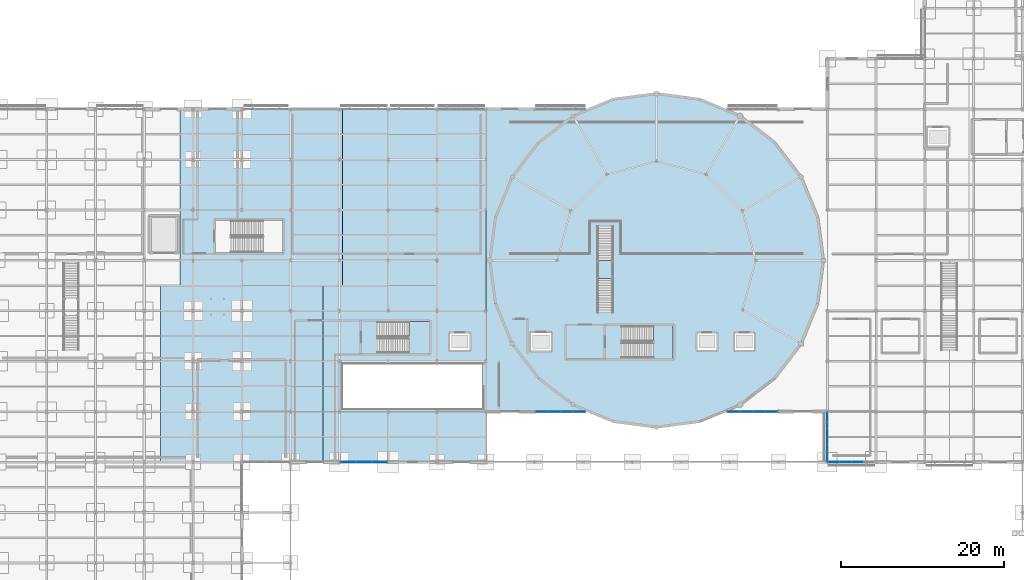
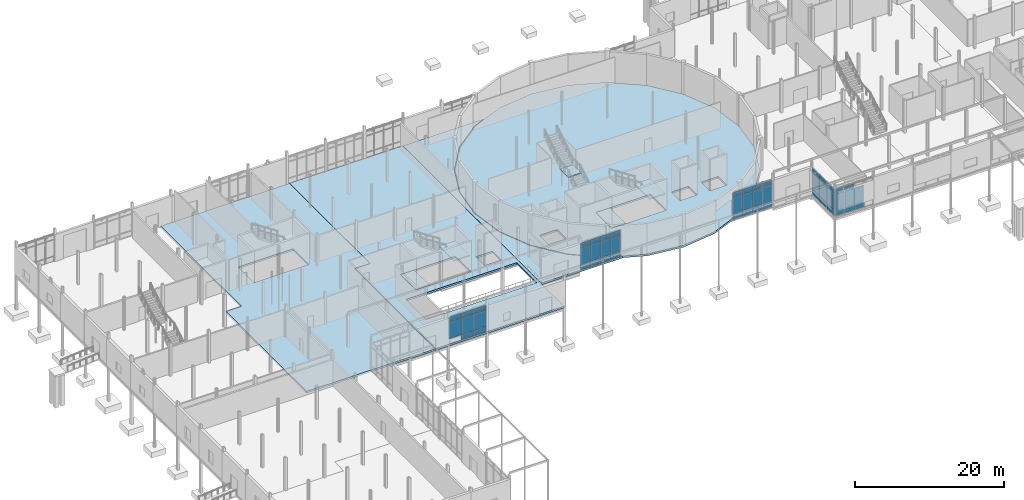
# One storey, part 60 of 98: 49 plates, 9 slabs, 8 elements without a shape of their own.
"""IFC4 building model written with IfcOpenShell, lengths in metres."""

from ifc_helpers import new_model, si_unit, direction, frame, origin, origin_2d, place, context, subcontext, project, spatial, polyline, rectangle, outline, extrude, material, layer, layer_set, type_object, element, aggregate, save


model = new_model("IFC4")

# Units and contexts
model_context = context("Model", 3, precision=1e-05, world=origin(), true_north=direction((0.0, 1.0)))
body_context = subcontext(model_context, "Body", "Model", "MODEL_VIEW")
ifc_project = project(units=[si_unit("LENGTHUNIT", "METRE"), si_unit("AREAUNIT", "SQUARE_METRE"), si_unit("VOLUMEUNIT", "CUBIC_METRE"), si_unit("PLANEANGLEUNIT", "RADIAN"), si_unit("MASSUNIT", "GRAM", prefix="KILO")], contexts=[model_context])

# Site, building, storey
site_placement = place(None, origin())
site = spatial("IfcSite", under=ifc_project, at=site_placement, CompositionType="ELEMENT")
building_placement = place(site_placement, origin())
building = spatial("IfcBuilding", under=site, at=building_placement, Name="Mirzam Square Science Centre", CompositionType="ELEMENT")
storey_placement = place(building_placement, origin())
storey = spatial("IfcBuildingStorey", under=building, at=storey_placement, Name="L00", CompositionType="ELEMENT", Elevation=0.0)

# Curtain wall, plates
ifc_material_1 = material(Name="Anodised Aluminium and Low-E Solar Glass", Category="aluminium")
ifc_layer_1 = layer(ifc_material_1, 0.159912109375)
ifc_layer_set_1 = layer_set([ifc_layer_1], Name="CW-COURT-B")
curtain_wall_type_1 = type_object("IfcCurtainWallType", Name="CW-COURT-B", PredefinedType="USERDEFINED", material=ifc_layer_set_1)
curtain_wall_1_placement = place(storey_placement, origin())
curtain_wall_1 = element("IfcCurtainWall", 1, at=curtain_wall_1_placement, inside=storey, type_object=curtain_wall_type_1, Name="L00 unitised curtain wall 64", ObjectType="UNITISED CURTAIN WALL", PredefinedType="USERDEFINED")
ifc_material_2 = material(Name="Ceramic-Fritted Courtyard Solar Glass", Category="glass")
ifc_layer_2 = layer(ifc_material_2, 0.02392578125)
ifc_layer_set_2 = layer_set([ifc_layer_2], Name="CWP-GLZ-24")
plate_type_1 = type_object("IfcPlateType", Name="CWP-GLZ-24", PredefinedType="CURTAIN_PANEL", material=ifc_layer_set_2)
plate_1_placement = place(storey_placement, frame((102.80615234375, 37.199951171875, 0.06005859375), z_axis=(0.0, 0.0, 1.0), x_axis=(1.0, 0.0, 0.0)))
plate_1 = element("IfcPlate", 2, at=plate_1_placement, type_object=plate_type_1, Name="CW-04 panel 1.1", PredefinedType="CURTAIN_PANEL", context=body_context, shape_type="SweptSolid", body=[
    extrude(rectangle(XDim=1.382568359375, YDim=0.02392578125, at=origin_2d()), origin(), (0.0, 0.0, 1.0), 0.81005859375),
])
plate_2_placement = place(storey_placement, frame((102.80615234375, 37.199951171875, 0.93017578125), z_axis=(0.0, 0.0, 1.0), x_axis=(1.0, 0.0, 0.0)))
plate_2 = element("IfcPlate", 3, at=plate_2_placement, type_object=plate_type_1, Name="CW-04 panel 1.2", PredefinedType="CURTAIN_PANEL", context=body_context, shape_type="SweptSolid", body=[
    extrude(rectangle(XDim=1.382568359375, YDim=0.02392578125, at=origin_2d()), origin(), (0.0, 0.0, 1.0), 2.679931640625),
])
plate_3_placement = place(storey_placement, frame((102.80615234375, 37.199951171875, 3.669921875), z_axis=(0.0, 0.0, 1.0), x_axis=(1.0, 0.0, 0.0)))
plate_3 = element("IfcPlate", 4, at=plate_3_placement, type_object=plate_type_1, Name="CW-04 panel 1.3", PredefinedType="CURTAIN_PANEL", context=body_context, shape_type="SweptSolid", body=[
    extrude(rectangle(XDim=1.382568359375, YDim=0.02392578125, at=origin_2d()), origin(), (0.0, 0.0, 1.0), 0.7099609375),
])
plate_4_placement = place(storey_placement, frame((104.263671875, 37.199951171875, 0.06005859375), z_axis=(0.0, 0.0, 1.0), x_axis=(1.0, 0.0, 0.0)))
plate_4 = element("IfcPlate", 5, at=plate_4_placement, type_object=plate_type_1, Name="CW-04 panel 2.1", PredefinedType="CURTAIN_PANEL", context=body_context, shape_type="SweptSolid", body=[
    extrude(rectangle(XDim=1.41259765625, YDim=0.02392578125, at=origin_2d()), origin(), (0.0, 0.0, 1.0), 0.81005859375),
])
plate_5_placement = place(storey_placement, frame((104.263671875, 37.199951171875, 0.93017578125), z_axis=(0.0, 0.0, 1.0), x_axis=(1.0, 0.0, 0.0)))
plate_5 = element("IfcPlate", 6, at=plate_5_placement, type_object=plate_type_1, Name="CW-04 panel 2.2", PredefinedType="CURTAIN_PANEL", context=body_context, shape_type="SweptSolid", body=[
    extrude(rectangle(XDim=1.41259765625, YDim=0.02392578125, at=origin_2d()), origin(), (0.0, 0.0, 1.0), 2.679931640625),
])
plate_6_placement = place(storey_placement, frame((104.263671875, 37.199951171875, 3.669921875), z_axis=(0.0, 0.0, 1.0), x_axis=(1.0, 0.0, 0.0)))
plate_6 = element("IfcPlate", 7, at=plate_6_placement, type_object=plate_type_1, Name="CW-04 panel 2.3", PredefinedType="CURTAIN_PANEL", context=body_context, shape_type="SweptSolid", body=[
    extrude(rectangle(XDim=1.41259765625, YDim=0.02392578125, at=origin_2d()), origin(), (0.0, 0.0, 1.0), 0.7099609375),
])
plate_7_placement = place(storey_placement, frame((105.736328125, 37.199951171875, 0.06005859375), z_axis=(0.0, 0.0, 1.0), x_axis=(1.0, 0.0, 0.0)))
plate_7 = element("IfcPlate", 8, at=plate_7_placement, type_object=plate_type_1, Name="CW-04 panel 3.1", PredefinedType="CURTAIN_PANEL", context=body_context, shape_type="SweptSolid", body=[
    extrude(rectangle(XDim=1.41259765625, YDim=0.02392578125, at=origin_2d()), origin(), (0.0, 0.0, 1.0), 0.81005859375),
])
plate_8_placement = place(storey_placement, frame((105.736328125, 37.199951171875, 0.93017578125), z_axis=(0.0, 0.0, 1.0), x_axis=(1.0, 0.0, 0.0)))
plate_8 = element("IfcPlate", 9, at=plate_8_placement, type_object=plate_type_1, Name="CW-04 panel 3.2", PredefinedType="CURTAIN_PANEL", context=body_context, shape_type="SweptSolid", body=[
    extrude(rectangle(XDim=1.41259765625, YDim=0.02392578125, at=origin_2d()), origin(), (0.0, 0.0, 1.0), 2.679931640625),
])
aggregate(curtain_wall_1, [plate_1, plate_2, plate_3, plate_4, plate_5, plate_6, plate_7, plate_8])

ifc_layer_3 = layer(ifc_material_1, 0.179931640625)
ifc_layer_set_3 = layer_set([ifc_layer_3], Name="CW-LINK-A")
curtain_wall_type_2 = type_object("IfcCurtainWallType", Name="CW-LINK-A", PredefinedType="USERDEFINED", material=ifc_layer_set_3)
curtain_wall_2_placement = place(storey_placement, origin())
curtain_wall_2 = element("IfcCurtainWall", 10, at=curtain_wall_2_placement, inside=storey, type_object=curtain_wall_type_2, Name="L00 unitised curtain wall 47", ObjectType="UNITISED CURTAIN WALL", PredefinedType="USERDEFINED")
ifc_material_3 = material(Name="Double-Silver Low-E Insulated Solar Glass", Category="glass")
ifc_layer_4 = layer(ifc_material_3, 0.028076171875)
ifc_layer_set_4 = layer_set([ifc_layer_4], Name="CWP-GLZ-28")
plate_type_2 = type_object("IfcPlateType", Name="CWP-GLZ-28", PredefinedType="CURTAIN_PANEL", material=ifc_layer_set_4)
plate_9_placement = place(storey_placement, frame((66.85009765625, 43.39990234375, 0.06005859375), z_axis=(0.0, 0.0, 1.0), x_axis=(1.0, 0.0, 0.0)))
plate_9 = element("IfcPlate", 11, at=plate_9_placement, type_object=plate_type_2, Name="CW-08 panel 1.1", PredefinedType="CURTAIN_PANEL", context=body_context, shape_type="SweptSolid", body=[
    extrude(rectangle(XDim=1.469970703125, YDim=0.028076171875, at=origin_2d()), origin(), (0.0, 0.0, 1.0), 0.81005859375),
])
plate_10_placement = place(storey_placement, frame((66.85009765625, 43.39990234375, 0.93017578125), z_axis=(0.0, 0.0, 1.0), x_axis=(1.0, 0.0, 0.0)))
plate_10 = element("IfcPlate", 12, at=plate_10_placement, type_object=plate_type_2, Name="CW-08 panel 1.2", PredefinedType="CURTAIN_PANEL", context=body_context, shape_type="SweptSolid", body=[
    extrude(rectangle(XDim=1.469970703125, YDim=0.028076171875, at=origin_2d()), origin(), (0.0, 0.0, 1.0), 2.679931640625),
])
plate_11_placement = place(storey_placement, frame((66.85009765625, 43.39990234375, 3.669921875), z_axis=(0.0, 0.0, 1.0), x_axis=(1.0, 0.0, 0.0)))
plate_11 = element("IfcPlate", 13, at=plate_11_placement, type_object=plate_type_2, Name="CW-08 panel 1.3", PredefinedType="CURTAIN_PANEL", context=body_context, shape_type="SweptSolid", body=[
    extrude(rectangle(XDim=1.469970703125, YDim=0.028076171875, at=origin_2d()), origin(), (0.0, 0.0, 1.0), 0.7099609375),
])
plate_12_placement = place(storey_placement, frame((68.39501953125, 43.39990234375, 0.06005859375), z_axis=(0.0, 0.0, 1.0), x_axis=(1.0, 0.0, 0.0)))
plate_12 = element("IfcPlate", 14, at=plate_12_placement, type_object=plate_type_2, Name="CW-08 panel 2.1", PredefinedType="CURTAIN_PANEL", context=body_context, shape_type="SweptSolid", body=[
    extrude(rectangle(XDim=1.5, YDim=0.028076171875, at=origin_2d()), origin(), (0.0, 0.0, 1.0), 0.81005859375),
])
plate_13_placement = place(storey_placement, frame((68.39501953125, 43.39990234375, 0.93017578125), z_axis=(0.0, 0.0, 1.0), x_axis=(1.0, 0.0, 0.0)))
plate_13 = element("IfcPlate", 15, at=plate_13_placement, type_object=plate_type_2, Name="CW-08 panel 2.2", PredefinedType="CURTAIN_PANEL", context=body_context, shape_type="SweptSolid", body=[
    extrude(rectangle(XDim=1.5, YDim=0.028076171875, at=origin_2d()), origin(), (0.0, 0.0, 1.0), 2.679931640625),
])
plate_14_placement = place(storey_placement, frame((68.39501953125, 43.39990234375, 3.669921875), z_axis=(0.0, 0.0, 1.0), x_axis=(1.0, 0.0, 0.0)))
plate_14 = element("IfcPlate", 16, at=plate_14_placement, type_object=plate_type_2, Name="CW-08 panel 2.3", PredefinedType="CURTAIN_PANEL", context=body_context, shape_type="SweptSolid", body=[
    extrude(rectangle(XDim=1.5, YDim=0.028076171875, at=origin_2d()), origin(), (0.0, 0.0, 1.0), 0.7099609375),
])
plate_15_placement = place(storey_placement, frame((69.955078125, 43.39990234375, 0.06005859375), z_axis=(0.0, 0.0, 1.0), x_axis=(1.0, 0.0, 0.0)))
plate_15 = element("IfcPlate", 17, at=plate_15_placement, type_object=plate_type_2, Name="CW-08 panel 3.1", PredefinedType="CURTAIN_PANEL", context=body_context, shape_type="SweptSolid", body=[
    extrude(rectangle(XDim=1.5, YDim=0.028076171875, at=origin_2d()), origin(), (0.0, 0.0, 1.0), 0.81005859375),
])
plate_16_placement = place(storey_placement, frame((69.955078125, 43.39990234375, 0.93017578125), z_axis=(0.0, 0.0, 1.0), x_axis=(1.0, 0.0, 0.0)))
plate_16 = element("IfcPlate", 18, at=plate_16_placement, type_object=plate_type_2, Name="CW-08 panel 3.2", PredefinedType="CURTAIN_PANEL", context=body_context, shape_type="SweptSolid", body=[
    extrude(rectangle(XDim=1.5, YDim=0.028076171875, at=origin_2d()), origin(), (0.0, 0.0, 1.0), 2.679931640625),
])
plate_17_placement = place(storey_placement, frame((69.955078125, 43.39990234375, 3.669921875), z_axis=(0.0, 0.0, 1.0), x_axis=(1.0, 0.0, 0.0)))
plate_17 = element("IfcPlate", 19, at=plate_17_placement, type_object=plate_type_2, Name="CW-08 panel 3.3", PredefinedType="CURTAIN_PANEL", context=body_context, shape_type="SweptSolid", body=[
    extrude(rectangle(XDim=1.5, YDim=0.028076171875, at=origin_2d()), origin(), (0.0, 0.0, 1.0), 0.7099609375),
])
plate_18_placement = place(storey_placement, frame((71.5, 43.39990234375, 0.06005859375), z_axis=(0.0, 0.0, 1.0), x_axis=(1.0, 0.0, 0.0)))
plate_18 = element("IfcPlate", 20, at=plate_18_placement, type_object=plate_type_2, Name="CW-08 panel 4.1", PredefinedType="CURTAIN_PANEL", context=body_context, shape_type="SweptSolid", body=[
    extrude(rectangle(XDim=1.469970703125, YDim=0.028076171875, at=origin_2d()), origin(), (0.0, 0.0, 1.0), 0.81005859375),
])
plate_19_placement = place(storey_placement, frame((71.5, 43.39990234375, 0.93017578125), z_axis=(0.0, 0.0, 1.0), x_axis=(1.0, 0.0, 0.0)))
plate_19 = element("IfcPlate", 21, at=plate_19_placement, type_object=plate_type_2, Name="CW-08 panel 4.2", PredefinedType="CURTAIN_PANEL", context=body_context, shape_type="SweptSolid", body=[
    extrude(rectangle(XDim=1.469970703125, YDim=0.028076171875, at=origin_2d()), origin(), (0.0, 0.0, 1.0), 2.679931640625),
])
plate_20_placement = place(storey_placement, frame((71.5, 43.39990234375, 3.669921875), z_axis=(0.0, 0.0, 1.0), x_axis=(1.0, 0.0, 0.0)))
plate_20 = element("IfcPlate", 22, at=plate_20_placement, type_object=plate_type_2, Name="CW-08 panel 4.3", PredefinedType="CURTAIN_PANEL", context=body_context, shape_type="SweptSolid", body=[
    extrude(rectangle(XDim=1.469970703125, YDim=0.028076171875, at=origin_2d()), origin(), (0.0, 0.0, 1.0), 0.7099609375),
])
aggregate(curtain_wall_2, [plate_9, plate_10, plate_11, plate_12, plate_13, plate_14, plate_15, plate_16, plate_17, plate_18, plate_19, plate_20])

curtain_wall_3_placement = place(storey_placement, origin())
curtain_wall_3 = element("IfcCurtainWall", 23, at=curtain_wall_3_placement, inside=storey, type_object=curtain_wall_type_2, Name="L00 unitised curtain wall 49", ObjectType="UNITISED CURTAIN WALL", PredefinedType="USERDEFINED")
plate_21_placement = place(storey_placement, frame((90.5, 43.39990234375, 0.06005859375), z_axis=(0.0, 0.0, 1.0), x_axis=(1.0, 0.0, 0.0)))
plate_21 = element("IfcPlate", 24, at=plate_21_placement, type_object=plate_type_2, Name="CW-08 panel 1.1", PredefinedType="CURTAIN_PANEL", context=body_context, shape_type="SweptSolid", body=[
    extrude(rectangle(XDim=1.469970703125, YDim=0.028076171875, at=origin_2d()), origin(), (0.0, 0.0, 1.0), 0.81005859375),
])
plate_22_placement = place(storey_placement, frame((90.5, 43.39990234375, 0.93017578125), z_axis=(0.0, 0.0, 1.0), x_axis=(1.0, 0.0, 0.0)))
plate_22 = element("IfcPlate", 25, at=plate_22_placement, type_object=plate_type_2, Name="CW-08 panel 1.2", PredefinedType="CURTAIN_PANEL", context=body_context, shape_type="SweptSolid", body=[
    extrude(rectangle(XDim=1.469970703125, YDim=0.028076171875, at=origin_2d()), origin(), (0.0, 0.0, 1.0), 2.679931640625),
])
plate_23_placement = place(storey_placement, frame((90.5, 43.39990234375, 3.669921875), z_axis=(0.0, 0.0, 1.0), x_axis=(1.0, 0.0, 0.0)))
plate_23 = element("IfcPlate", 26, at=plate_23_placement, type_object=plate_type_2, Name="CW-08 panel 1.3", PredefinedType="CURTAIN_PANEL", context=body_context, shape_type="SweptSolid", body=[
    extrude(rectangle(XDim=1.469970703125, YDim=0.028076171875, at=origin_2d()), origin(), (0.0, 0.0, 1.0), 0.7099609375),
])
plate_24_placement = place(storey_placement, frame((92.044921875, 43.39990234375, 0.06005859375), z_axis=(0.0, 0.0, 1.0), x_axis=(1.0, 0.0, 0.0)))
plate_24 = element("IfcPlate", 27, at=plate_24_placement, type_object=plate_type_2, Name="CW-08 panel 2.1", PredefinedType="CURTAIN_PANEL", context=body_context, shape_type="SweptSolid", body=[
    extrude(rectangle(XDim=1.5, YDim=0.028076171875, at=origin_2d()), origin(), (0.0, 0.0, 1.0), 0.81005859375),
])
plate_25_placement = place(storey_placement, frame((92.044921875, 43.39990234375, 0.93017578125), z_axis=(0.0, 0.0, 1.0), x_axis=(1.0, 0.0, 0.0)))
plate_25 = element("IfcPlate", 28, at=plate_25_placement, type_object=plate_type_2, Name="CW-08 panel 2.2", PredefinedType="CURTAIN_PANEL", context=body_context, shape_type="SweptSolid", body=[
    extrude(rectangle(XDim=1.5, YDim=0.028076171875, at=origin_2d()), origin(), (0.0, 0.0, 1.0), 2.679931640625),
])
plate_26_placement = place(storey_placement, frame((92.044921875, 43.39990234375, 3.669921875), z_axis=(0.0, 0.0, 1.0), x_axis=(1.0, 0.0, 0.0)))
plate_26 = element("IfcPlate", 29, at=plate_26_placement, type_object=plate_type_2, Name="CW-08 panel 2.3", PredefinedType="CURTAIN_PANEL", context=body_context, shape_type="SweptSolid", body=[
    extrude(rectangle(XDim=1.5, YDim=0.028076171875, at=origin_2d()), origin(), (0.0, 0.0, 1.0), 0.7099609375),
])
plate_27_placement = place(storey_placement, frame((93.60498046875, 43.39990234375, 0.06005859375), z_axis=(0.0, 0.0, 1.0), x_axis=(1.0, 0.0, 0.0)))
plate_27 = element("IfcPlate", 30, at=plate_27_placement, type_object=plate_type_2, Name="CW-08 panel 3.1", PredefinedType="CURTAIN_PANEL", context=body_context, shape_type="SweptSolid", body=[
    extrude(rectangle(XDim=1.5, YDim=0.028076171875, at=origin_2d()), origin(), (0.0, 0.0, 1.0), 0.81005859375),
])
plate_28_placement = place(storey_placement, frame((93.60498046875, 43.39990234375, 0.93017578125), z_axis=(0.0, 0.0, 1.0), x_axis=(1.0, 0.0, 0.0)))
plate_28 = element("IfcPlate", 31, at=plate_28_placement, type_object=plate_type_2, Name="CW-08 panel 3.2", PredefinedType="CURTAIN_PANEL", context=body_context, shape_type="SweptSolid", body=[
    extrude(rectangle(XDim=1.5, YDim=0.028076171875, at=origin_2d()), origin(), (0.0, 0.0, 1.0), 2.679931640625),
])
plate_29_placement = place(storey_placement, frame((93.60498046875, 43.39990234375, 3.669921875), z_axis=(0.0, 0.0, 1.0), x_axis=(1.0, 0.0, 0.0)))
plate_29 = element("IfcPlate", 32, at=plate_29_placement, type_object=plate_type_2, Name="CW-08 panel 3.3", PredefinedType="CURTAIN_PANEL", context=body_context, shape_type="SweptSolid", body=[
    extrude(rectangle(XDim=1.5, YDim=0.028076171875, at=origin_2d()), origin(), (0.0, 0.0, 1.0), 0.7099609375),
])
plate_30_placement = place(storey_placement, frame((95.14990234375, 43.39990234375, 0.06005859375), z_axis=(0.0, 0.0, 1.0), x_axis=(1.0, 0.0, 0.0)))
plate_30 = element("IfcPlate", 33, at=plate_30_placement, type_object=plate_type_2, Name="CW-08 panel 4.1", PredefinedType="CURTAIN_PANEL", context=body_context, shape_type="SweptSolid", body=[
    extrude(rectangle(XDim=1.469970703125, YDim=0.028076171875, at=origin_2d()), origin(), (0.0, 0.0, 1.0), 0.81005859375),
])
plate_31_placement = place(storey_placement, frame((95.14990234375, 43.39990234375, 0.93017578125), z_axis=(0.0, 0.0, 1.0), x_axis=(1.0, 0.0, 0.0)))
plate_31 = element("IfcPlate", 34, at=plate_31_placement, type_object=plate_type_2, Name="CW-08 panel 4.2", PredefinedType="CURTAIN_PANEL", context=body_context, shape_type="SweptSolid", body=[
    extrude(rectangle(XDim=1.469970703125, YDim=0.028076171875, at=origin_2d()), origin(), (0.0, 0.0, 1.0), 2.679931640625),
])
plate_32_placement = place(storey_placement, frame((95.14990234375, 43.39990234375, 3.669921875), z_axis=(0.0, 0.0, 1.0), x_axis=(1.0, 0.0, 0.0)))
plate_32 = element("IfcPlate", 35, at=plate_32_placement, type_object=plate_type_2, Name="CW-08 panel 4.3", PredefinedType="CURTAIN_PANEL", context=body_context, shape_type="SweptSolid", body=[
    extrude(rectangle(XDim=1.469970703125, YDim=0.028076171875, at=origin_2d()), origin(), (0.0, 0.0, 1.0), 0.7099609375),
])
aggregate(curtain_wall_3, [plate_21, plate_22, plate_23, plate_24, plate_25, plate_26, plate_27, plate_28, plate_29, plate_30, plate_31, plate_32])

ifc_layer_5 = layer(ifc_material_1, 0.199951171875)
ifc_layer_set_5 = layer_set([ifc_layer_5], Name="CW-PARK-B")
curtain_wall_type_3 = type_object("IfcCurtainWallType", Name="CW-PARK-B", PredefinedType="USERDEFINED", material=ifc_layer_set_5)
curtain_wall_4_placement = place(storey_placement, origin())
curtain_wall_4 = element("IfcCurtainWall", 36, at=curtain_wall_4_placement, inside=storey, type_object=curtain_wall_type_3, Name="L00 unitised curtain wall 8", ObjectType="UNITISED CURTAIN WALL", PredefinedType="USERDEFINED")
ifc_material_4 = material(Name="Acoustic Laminated Solar Spandrel Glass", Category="glass")
ifc_layer_6 = layer(ifc_material_4, 0.0400390625)
ifc_layer_set_6 = layer_set([ifc_layer_6], Name="CWP-GLZ-40")
plate_type_3 = type_object("IfcPlateType", Name="CWP-GLZ-40", PredefinedType="CURTAIN_PANEL", material=ifc_layer_set_6)
plate_33_placement = place(storey_placement, frame((43.0517578125, 37.199951171875, 0.93017578125), z_axis=(0.0, 0.0, 1.0), x_axis=(1.0, 0.0, 0.0)))
plate_33 = element("IfcPlate", 37, at=plate_33_placement, type_object=plate_type_3, Name="CW-02 panel 1.2", PredefinedType="CURTAIN_PANEL", context=body_context, shape_type="SweptSolid", body=[
    extrude(rectangle(XDim=1.873291015625, YDim=0.0400390625, at=origin_2d()), origin(), (0.0, 0.0, 1.0), 2.679931640625),
])
plate_34_placement = place(storey_placement, frame((43.0517578125, 37.199951171875, 3.669921875), z_axis=(0.0, 0.0, 1.0), x_axis=(1.0, 0.0, 0.0)))
plate_34 = element("IfcPlate", 38, at=plate_34_placement, type_object=plate_type_3, Name="CW-02 panel 1.3", PredefinedType="CURTAIN_PANEL", context=body_context, shape_type="SweptSolid", body=[
    extrude(rectangle(XDim=1.873291015625, YDim=0.0400390625, at=origin_2d()), origin(), (0.0, 0.0, 1.0), 0.7099609375),
])
plate_35_placement = place(storey_placement, frame((45.0, 37.199951171875, 0.06005859375), z_axis=(0.0, 0.0, 1.0), x_axis=(1.0, 0.0, 0.0)))
plate_35 = element("IfcPlate", 39, at=plate_35_placement, type_object=plate_type_3, Name="CW-02 panel 2.1", PredefinedType="CURTAIN_PANEL", context=body_context, shape_type="SweptSolid", body=[
    extrude(rectangle(XDim=1.9033203125, YDim=0.0400390625, at=origin_2d()), origin(), (0.0, 0.0, 1.0), 0.81005859375),
])
plate_36_placement = place(storey_placement, frame((45.0, 37.199951171875, 0.93017578125), z_axis=(0.0, 0.0, 1.0), x_axis=(1.0, 0.0, 0.0)))
plate_36 = element("IfcPlate", 40, at=plate_36_placement, type_object=plate_type_3, Name="CW-02 panel 2.2", PredefinedType="CURTAIN_PANEL", context=body_context, shape_type="SweptSolid", body=[
    extrude(rectangle(XDim=1.9033203125, YDim=0.0400390625, at=origin_2d()), origin(), (0.0, 0.0, 1.0), 2.679931640625),
])
plate_37_placement = place(storey_placement, frame((45.0, 37.199951171875, 3.669921875), z_axis=(0.0, 0.0, 1.0), x_axis=(1.0, 0.0, 0.0)))
plate_37 = element("IfcPlate", 41, at=plate_37_placement, type_object=plate_type_3, Name="CW-02 panel 2.3", PredefinedType="CURTAIN_PANEL", context=body_context, shape_type="SweptSolid", body=[
    extrude(rectangle(XDim=1.9033203125, YDim=0.0400390625, at=origin_2d()), origin(), (0.0, 0.0, 1.0), 0.7099609375),
])
plate_38_placement = place(storey_placement, frame((46.9482421875, 37.199951171875, 0.06005859375), z_axis=(0.0, 0.0, 1.0), x_axis=(1.0, 0.0, 0.0)))
plate_38 = element("IfcPlate", 42, at=plate_38_placement, type_object=plate_type_3, Name="CW-02 panel 3.1", PredefinedType="CURTAIN_PANEL", context=body_context, shape_type="SweptSolid", body=[
    extrude(rectangle(XDim=1.873291015625, YDim=0.0400390625, at=origin_2d()), origin(), (0.0, 0.0, 1.0), 0.81005859375),
])
plate_39_placement = place(storey_placement, frame((46.9482421875, 37.199951171875, 0.93017578125), z_axis=(0.0, 0.0, 1.0), x_axis=(1.0, 0.0, 0.0)))
plate_39 = element("IfcPlate", 43, at=plate_39_placement, type_object=plate_type_3, Name="CW-02 panel 3.2", PredefinedType="CURTAIN_PANEL", context=body_context, shape_type="SweptSolid", body=[
    extrude(rectangle(XDim=1.873291015625, YDim=0.0400390625, at=origin_2d()), origin(), (0.0, 0.0, 1.0), 2.679931640625),
])
plate_40_placement = place(storey_placement, frame((46.9482421875, 37.199951171875, 3.669921875), z_axis=(0.0, 0.0, 1.0), x_axis=(1.0, 0.0, 0.0)))
plate_40 = element("IfcPlate", 44, at=plate_40_placement, type_object=plate_type_3, Name="CW-02 panel 3.3", PredefinedType="CURTAIN_PANEL", context=body_context, shape_type="SweptSolid", body=[
    extrude(rectangle(XDim=1.873291015625, YDim=0.0400390625, at=origin_2d()), origin(), (0.0, 0.0, 1.0), 0.7099609375),
])
aggregate(curtain_wall_4, [plate_33, plate_34, plate_35, plate_36, plate_37, plate_38, plate_39, plate_40])

curtain_wall_5_placement = place(storey_placement, origin())
curtain_wall_5 = element("IfcCurtainWall", 45, at=curtain_wall_5_placement, inside=storey, type_object=curtain_wall_type_3, Name="L00 unitised curtain wall 72", ObjectType="UNITISED CURTAIN WALL", PredefinedType="USERDEFINED")
plate_41_placement = place(storey_placement, frame((102.0, 42.31494140625, 0.06005859375), z_axis=(0.0, 0.0, 1.0), x_axis=(0.0, -1.0, 0.0)))
plate_41 = element("IfcPlate", 46, at=plate_41_placement, type_object=plate_type_3, Name="CW-02 panel 1.1", PredefinedType="CURTAIN_PANEL", context=body_context, shape_type="SweptSolid", body=[
    extrude(rectangle(XDim=1.93994140625, YDim=0.0400390625, at=origin_2d()), origin(), (0.0, 0.0, 1.0), 0.81005859375),
])
plate_42_placement = place(storey_placement, frame((102.0, 42.31494140625, 0.93017578125), z_axis=(0.0, 0.0, 1.0), x_axis=(0.0, -1.0, 0.0)))
plate_42 = element("IfcPlate", 47, at=plate_42_placement, type_object=plate_type_3, Name="CW-02 panel 1.2", PredefinedType="CURTAIN_PANEL", context=body_context, shape_type="SweptSolid", body=[
    extrude(rectangle(XDim=1.93994140625, YDim=0.0400390625, at=origin_2d()), origin(), (0.0, 0.0, 1.0), 2.679931640625),
])
plate_43_placement = place(storey_placement, frame((102.0, 42.31494140625, 3.669921875), z_axis=(0.0, 0.0, 1.0), x_axis=(0.0, -1.0, 0.0)))
plate_43 = element("IfcPlate", 48, at=plate_43_placement, type_object=plate_type_3, Name="CW-02 panel 1.3", PredefinedType="CURTAIN_PANEL", context=body_context, shape_type="SweptSolid", body=[
    extrude(rectangle(XDim=1.93994140625, YDim=0.0400390625, at=origin_2d()), origin(), (0.0, 0.0, 1.0), 0.7099609375),
])
plate_44_placement = place(storey_placement, frame((102.0, 40.300048828125, 0.06005859375), z_axis=(0.0, 0.0, 1.0), x_axis=(0.0, -1.0, 0.0)))
plate_44 = element("IfcPlate", 49, at=plate_44_placement, type_object=plate_type_3, Name="CW-02 panel 2.1", PredefinedType="CURTAIN_PANEL", context=body_context, shape_type="SweptSolid", body=[
    extrude(rectangle(XDim=1.969970703125, YDim=0.0400390625, at=origin_2d()), origin(), (0.0, 0.0, 1.0), 0.81005859375),
])
plate_45_placement = place(storey_placement, frame((102.0, 40.300048828125, 0.93017578125), z_axis=(0.0, 0.0, 1.0), x_axis=(0.0, -1.0, 0.0)))
plate_45 = element("IfcPlate", 50, at=plate_45_placement, type_object=plate_type_3, Name="CW-02 panel 2.2", PredefinedType="CURTAIN_PANEL", context=body_context, shape_type="SweptSolid", body=[
    extrude(rectangle(XDim=1.969970703125, YDim=0.0400390625, at=origin_2d()), origin(), (0.0, 0.0, 1.0), 2.679931640625),
])
plate_46_placement = place(storey_placement, frame((102.0, 40.300048828125, 3.669921875), z_axis=(0.0, 0.0, 1.0), x_axis=(0.0, -1.0, 0.0)))
plate_46 = element("IfcPlate", 51, at=plate_46_placement, type_object=plate_type_3, Name="CW-02 panel 2.3", PredefinedType="CURTAIN_PANEL", context=body_context, shape_type="SweptSolid", body=[
    extrude(rectangle(XDim=1.969970703125, YDim=0.0400390625, at=origin_2d()), origin(), (0.0, 0.0, 1.0), 0.7099609375),
])
plate_47_placement = place(storey_placement, frame((102.0, 38.284912109375, 0.06005859375), z_axis=(0.0, 0.0, 1.0), x_axis=(0.0, -1.0, 0.0)))
plate_47 = element("IfcPlate", 52, at=plate_47_placement, type_object=plate_type_3, Name="CW-02 panel 3.1", PredefinedType="CURTAIN_PANEL", context=body_context, shape_type="SweptSolid", body=[
    extrude(rectangle(XDim=1.93994140625, YDim=0.0400390625, at=origin_2d()), origin(), (0.0, 0.0, 1.0), 0.81005859375),
])
plate_48_placement = place(storey_placement, frame((102.0, 38.284912109375, 0.93017578125), z_axis=(0.0, 0.0, 1.0), x_axis=(0.0, -1.0, 0.0)))
plate_48 = element("IfcPlate", 53, at=plate_48_placement, type_object=plate_type_3, Name="CW-02 panel 3.2", PredefinedType="CURTAIN_PANEL", context=body_context, shape_type="SweptSolid", body=[
    extrude(rectangle(XDim=1.93994140625, YDim=0.0400390625, at=origin_2d()), origin(), (0.0, 0.0, 1.0), 2.679931640625),
])
plate_49_placement = place(storey_placement, frame((102.0, 38.284912109375, 3.669921875), z_axis=(0.0, 0.0, 1.0), x_axis=(0.0, -1.0, 0.0)))
plate_49 = element("IfcPlate", 54, at=plate_49_placement, type_object=plate_type_3, Name="CW-02 panel 3.3", PredefinedType="CURTAIN_PANEL", context=body_context, shape_type="SweptSolid", body=[
    extrude(rectangle(XDim=1.93994140625, YDim=0.0400390625, at=origin_2d()), origin(), (0.0, 0.0, 1.0), 0.7099609375),
])
aggregate(curtain_wall_5, [plate_41, plate_42, plate_43, plate_44, plate_45, plate_46, plate_47, plate_48, plate_49])

# Slabs
ifc_material_5 = material(Name="Concrete C45/55", Category="concrete")
ifc_layer_7 = layer(ifc_material_5, 0.2900390625)
ifc_layer_set_7 = layer_set([ifc_layer_7], Name="SL-GND-290")
slab_type_1 = type_object("IfcSlabType", Name="SL-GND-290", PredefinedType="FLOOR", material=ifc_layer_set_7)
slab_1_placement = place(storey_placement, frame((0.0, 0.0, -0.2900390625)))
element("IfcSlab", 55, at=slab_1_placement, inside=storey, type_object=slab_type_1, Name="L00 drum link slab", PredefinedType="FLOOR", context=body_context, shape_type="SweptSolid", body=[
    extrude(outline(polyline([(72.63818359375, 80.60009765625), (70.719970703125, 79.805419921875), (66.4619140625, 76.5380859375), (63.194580078125, 72.280029296875), (61.140625, 67.3212890625), (60.43994140625, 62.0), (61.140625, 56.6787109375), (63.194580078125, 51.719970703125), (66.4619140625, 47.4619140625), (70.719970703125, 44.194580078125), (72.63818359375, 43.39990234375), (60.0, 43.39990234375), (60.0, 80.60009765625), (72.63818359375, 80.60009765625)])), origin(), (0.0, 0.0, 1.0), 0.2900390625),
])
ifc_layer_8 = layer(ifc_material_5, 0.300048828125)
ifc_layer_set_8 = layer_set([ifc_layer_8], Name="SL-GND-300")
slab_type_2 = type_object("IfcSlabType", Name="SL-GND-300", PredefinedType="FLOOR", material=ifc_layer_set_8)
slab_2_placement = place(storey_placement, frame((0.0, 0.0, -0.300048828125)))
element("IfcSlab", 56, at=slab_2_placement, inside=storey, type_object=slab_type_2, Name="L00 drum slab", PredefinedType="FLOOR", context=body_context, shape_type="SweptSolid", body=[
    extrude(outline(polyline([(100.801513671875, 56.694091796875), (98.75341796875, 51.75), (95.49560546875, 47.50439453125), (91.25, 44.24658203125), (86.305908203125, 42.198486328125), (81.0, 41.5), (75.694091796875, 42.198486328125), (70.75, 44.24658203125), (66.50439453125, 47.50439453125), (63.24658203125, 51.75), (61.198486328125, 56.694091796875), (60.5, 62.0), (61.198486328125, 67.305908203125), (63.24658203125, 72.25), (66.50439453125, 76.49560546875), (70.75, 79.75341796875), (75.694091796875, 81.801513671875), (81.0, 82.5), (86.305908203125, 81.801513671875), (91.25, 79.75341796875), (95.49560546875, 76.49560546875), (98.75341796875, 72.25), (100.801513671875, 67.305908203125), (101.5, 62.0), (100.801513671875, 56.694091796875)]), holes=[polyline([(83.159912109375, 49.840087890625), (83.159912109375, 54.090087890625), (74.639892578125, 54.090087890625), (74.639892578125, 49.840087890625), (83.159912109375, 49.840087890625)]), polyline([(68.14990234375, 50.800048828125), (68.14990234375, 53.199951171875), (65.449951171875, 53.199951171875), (65.449951171875, 50.800048828125), (68.14990234375, 50.800048828125)]), polyline([(88.5, 50.85009765625), (88.5, 53.14990234375), (85.89990234375, 53.14990234375), (85.89990234375, 50.85009765625), (88.5, 50.85009765625)]), polyline([(93.10009765625, 50.85009765625), (93.10009765625, 53.14990234375), (90.5, 53.14990234375), (90.5, 50.85009765625), (93.10009765625, 50.85009765625)])]), origin(), (0.0, 0.0, 1.0), 0.300048828125),
])
slab_3_placement = place(storey_placement, frame((0.0, 0.0, -0.300048828125)))
element("IfcSlab", 57, at=slab_3_placement, inside=storey, type_object=slab_type_2, Name="L00 wedge 2 slab", PredefinedType="FLOOR", context=body_context, shape_type="SweptSolid", body=[
    extrude(outline(polyline([(42.39990234375, 80.60009765625), (42.39990234375, 58.89990234375), (40.0, 58.89990234375), (40.0, 37.199951171875), (20.0048828125, 37.199951171875), (20.0048828125, 58.89501953125), (22.405029296875, 58.89501953125), (22.405029296875, 80.60009765625), (42.39990234375, 80.60009765625)]), holes=[polyline([(35.159912109375, 67.050048828125), (26.639892578125, 67.050048828125), (26.639892578125, 62.840087890625), (35.159912109375, 62.840087890625), (35.159912109375, 67.050048828125)])]), origin(), (0.0, 0.0, 1.0), 0.300048828125),
])
slab_4_placement = place(storey_placement, frame((0.0, 0.0, -0.300048828125)))
element("IfcSlab", 58, at=slab_4_placement, inside=storey, type_object=slab_type_2, Name="L00 wedge 3 slab", PredefinedType="FLOOR", context=body_context, shape_type="SweptSolid", body=[
    extrude(outline(polyline([(59.9951171875, 80.60009765625), (59.9951171875, 43.39501953125), (60.0, 37.199951171875), (40.0048828125, 37.199951171875), (40.0048828125, 58.89501953125), (42.405029296875, 58.89501953125), (42.405029296875, 80.60009765625), (59.9951171875, 80.60009765625)]), holes=[polyline([(42.39990234375, 49.199951171875), (42.39990234375, 43.800048828125), (59.60009765625, 43.800048828125), (59.60009765625, 49.199951171875), (42.39990234375, 49.199951171875)]), polyline([(58.10009765625, 53.14990234375), (55.5, 53.14990234375), (55.5, 50.85009765625), (58.10009765625, 50.85009765625), (58.10009765625, 53.14990234375)]), polyline([(53.159912109375, 54.610107421875), (44.639892578125, 54.610107421875), (44.639892578125, 50.43994140625), (53.159912109375, 50.43994140625), (53.159912109375, 54.610107421875)])]), origin(), (0.0, 0.0, 1.0), 0.300048828125),
])

# Stair, slab
ifc_material_6 = material(Name="Concrete C40/50", Category="concrete")
stair_type_1 = type_object("IfcStairType", Name="ST-CORE-1-540", PredefinedType="HALF_TURN_STAIR", material=ifc_material_6)
stair_1_placement = place(storey_placement, origin())
stair_1 = element("IfcStair", 59, at=stair_1_placement, inside=storey, type_object=stair_type_1, Name="L00 ST-01", PredefinedType="HALF_TURN_STAIR")
ifc_layer_9 = layer(ifc_material_6, 0.199951171875)
ifc_layer_set_9 = layer_set([ifc_layer_9], Name="SL-LANDING-200")
slab_type_3 = type_object("IfcSlabType", Name="SL-LANDING-200", PredefinedType="LANDING", material=ifc_layer_set_9)
slab_5_placement = place(storey_placement, frame((0.0, 0.0, 2.5)))
slab_5 = element("IfcSlab", 60, at=slab_5_placement, type_object=slab_type_3, Name="ST-01 landing 1", PredefinedType="LANDING", context=body_context, shape_type="SweptSolid", body=[
    extrude(outline(polyline([(50.570068359375, 50.550048828125), (53.050048828125, 50.550048828125), (53.050048828125, 54.5), (50.570068359375, 54.5), (50.570068359375, 50.550048828125)])), origin(), (0.0, 0.0, 1.0), 0.199951171875),
])
aggregate(stair_1, [slab_5])

# Slab
slab_6_placement = place(storey_placement, frame((0.0, 0.0, -0.199951171875)))
element("IfcSlab", 61, at=slab_6_placement, inside=storey, type_object=slab_type_3, Name="L00 CORE-1 floor landing", PredefinedType="LANDING", context=body_context, shape_type="SweptSolid", body=[
    extrude(outline(polyline([(46.800048828125, 50.445068359375), (44.64501953125, 50.445068359375), (44.64501953125, 54.60498046875), (46.800048828125, 54.60498046875), (46.800048828125, 50.445068359375)])), origin(), (0.0, 0.0, 1.0), 0.199951171875),
])

# Stair, slab
stair_type_2 = type_object("IfcStairType", Name="ST-CORE-3-540", PredefinedType="HALF_TURN_STAIR", material=ifc_material_6)
stair_2_placement = place(storey_placement, origin())
stair_2 = element("IfcStair", 62, at=stair_2_placement, inside=storey, type_object=stair_type_2, Name="L00 ST-03", PredefinedType="HALF_TURN_STAIR")
slab_7_placement = place(storey_placement, frame((0.0, 0.0, 2.5)))
slab_7 = element("IfcSlab", 63, at=slab_7_placement, type_object=slab_type_3, Name="ST-03 landing 1", PredefinedType="LANDING", context=body_context, shape_type="SweptSolid", body=[
    extrude(outline(polyline([(80.610107421875, 49.949951171875), (83.050048828125, 49.949951171875), (83.050048828125, 53.97998046875), (80.610107421875, 53.97998046875), (80.610107421875, 49.949951171875)])), origin(), (0.0, 0.0, 1.0), 0.199951171875),
])
aggregate(stair_2, [slab_7])

# Slab
slab_8_placement = place(storey_placement, frame((0.0, 0.0, -0.199951171875)))
element("IfcSlab", 64, at=slab_8_placement, inside=storey, type_object=slab_type_3, Name="L00 CORE-3 floor landing", PredefinedType="LANDING", context=body_context, shape_type="SweptSolid", body=[
    extrude(outline(polyline([(76.840087890625, 49.844970703125), (74.64501953125, 49.844970703125), (74.64501953125, 54.0849609375), (76.840087890625, 54.0849609375), (76.840087890625, 49.844970703125)])), origin(), (0.0, 0.0, 1.0), 0.199951171875),
])

# Stair, slab
ifc_material_7 = material(Name="Steel S355 and Honed Limestone Tread Stair", Category="masonry")
stair_type_3 = type_object("IfcStairType", Name="ST-FEAT-7", PredefinedType="STRAIGHT_RUN_STAIR", material=ifc_material_7)
stair_3_placement = place(storey_placement, origin())
stair_3 = element("IfcStair", 65, at=stair_3_placement, inside=storey, type_object=stair_type_3, Name="L00 feature gallery stair ST-07", PredefinedType="STRAIGHT_RUN_STAIR")
slab_9_placement = place(storey_placement, frame((0.0, 0.0, 2.5)))
slab_9 = element("IfcSlab", 66, at=slab_9_placement, type_object=slab_type_3, Name="ST-07 landing 1", PredefinedType="LANDING", context=body_context, shape_type="SweptSolid", body=[
    extrude(outline(polyline([(73.699951171875, 59.800048828125), (75.699951171875, 59.800048828125), (75.699951171875, 62.0), (73.699951171875, 62.0), (73.699951171875, 59.800048828125)])), origin(), (0.0, 0.0, 1.0), 0.199951171875),
])
aggregate(stair_3, [slab_9])

save(model, "model.ifc")
